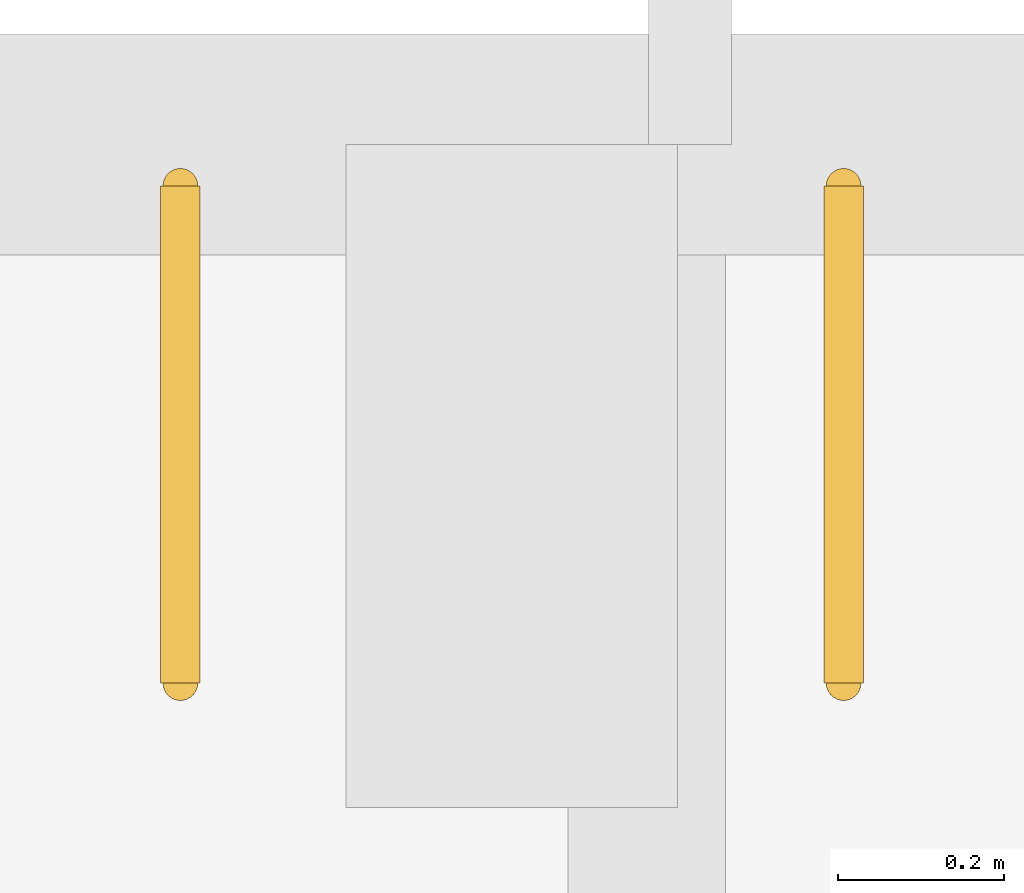
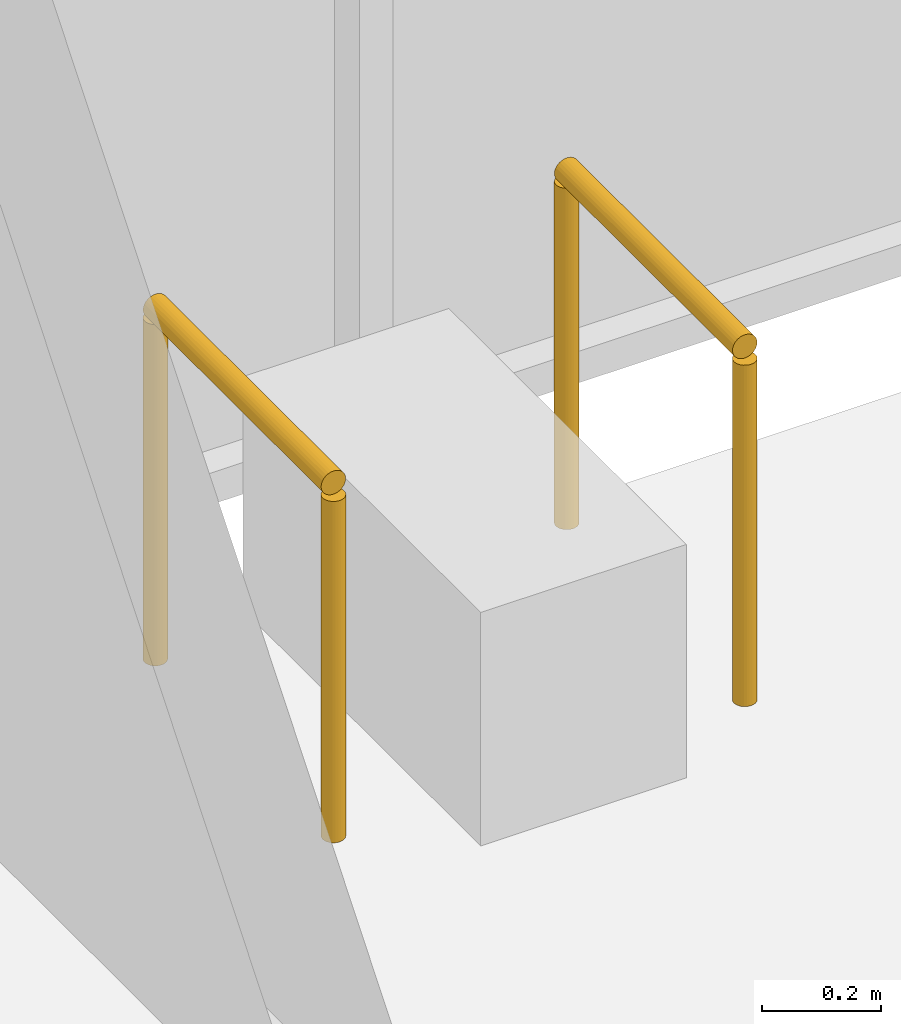
# One storey, part 42 of 43: 2 railings.
"""IFC4 building model written with IfcOpenShell, lengths in metres."""

from ifc_helpers import new_model, si_unit, direction, frame, origin, origin_2d, place, context, subcontext, project, spatial, circle, extrude, material, type_object, element, save


model = new_model("IFC4")

# Units and contexts
model_context = context("Model", 3, precision=1e-05, world=origin(), true_north=direction((0.0, 1.0)))
body_context = subcontext(model_context, "Body", "Model", "MODEL_VIEW")
ifc_project = project(units=[si_unit("LENGTHUNIT", "METRE"), si_unit("AREAUNIT", "SQUARE_METRE"), si_unit("VOLUMEUNIT", "CUBIC_METRE"), si_unit("PLANEANGLEUNIT", "RADIAN"), si_unit("MASSUNIT", "GRAM", prefix="KILO")], contexts=[model_context])

# Site, building, storey
site_placement = place(None, origin())
site = spatial("IfcSite", under=ifc_project, at=site_placement, CompositionType="ELEMENT")
building_placement = place(site_placement, origin())
building = spatial("IfcBuilding", under=site, at=building_placement, Name="Baradari Gate Terminus", CompositionType="ELEMENT")
storey_placement = place(building_placement, frame((0.0, 0.0, 20.10009765625)))
storey = spatial("IfcBuildingStorey", under=building, at=storey_placement, Name="L04", CompositionType="ELEMENT", Elevation=20.10009765625)

# Railings
ifc_material = material(Name="Stainless steel 1.4301", Category="steel")
railing_type = type_object("IfcRailingType", Name="Grab rail GB-1 750", PredefinedType="HANDRAIL", material=ifc_material)
for number, where, name in (
    (1, (38.4375, 143.949951171875, 0.0), "Grab rail Accessible WC"),
    (2, (39.237548828125, 143.949951171875, 0.0), "Grab rail Accessible WC"),
):
    element("IfcRailing", number, at=place(storey_placement, frame(where)), inside=storey, type_object=railing_type, Name=name, PredefinedType="HANDRAIL", context=body_context, shape_type="SweptSolid", body=[
        extrude(circle(Radius=0.02392578125, at=origin_2d()), frame((0.0, 0.0, 0.72607421875), z_axis=(0.0, -1.0, 0.0), x_axis=(1.0, 0.0, 0.0)), (0.0, 0.0, 1.0), 0.599853515625),
        extrude(circle(Radius=0.02099609375, at=origin_2d()), origin(), (0.0, 0.0, 1.0), 0.701904296875),
        extrude(circle(Radius=0.02099609375, at=origin_2d()), frame((0.0, -0.599853515625, 0.0)), (0.0, 0.0, 1.0), 0.701904296875),
    ])

save(model, "model.ifc")
